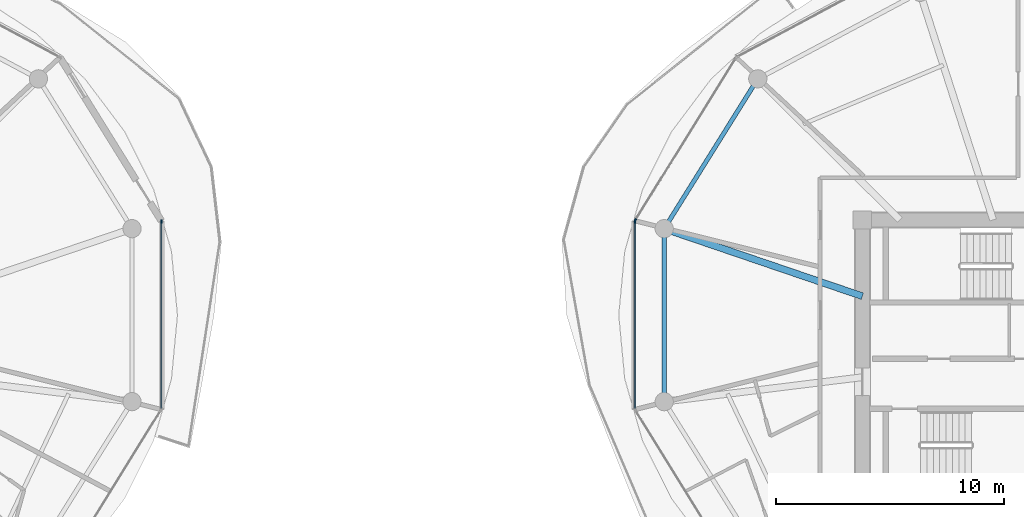
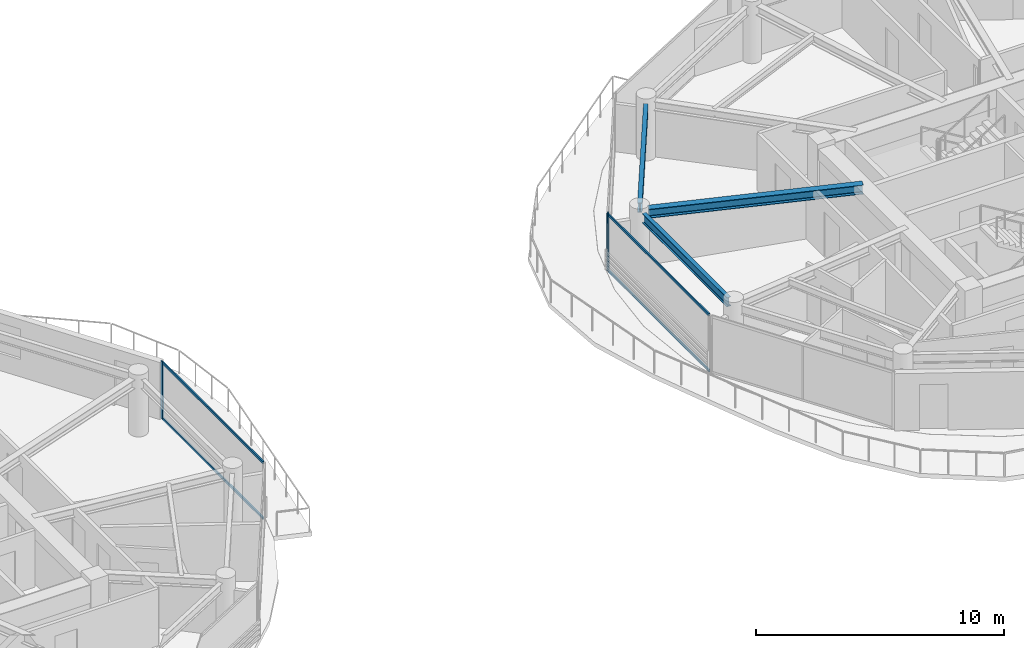
# One storey, part 7 of 21: 7 members, 3 beams, 3 elements without a shape of their own.
"""IFC4 building model written with IfcOpenShell, lengths in metres."""

from ifc_helpers import new_model, si_unit, direction, frame, origin, origin_2d, place, context, subcontext, project, spatial, rectangle, i_section, extrude, source, transform, mapped, material, layer, layer_set, material_profile, profile_set, type_object, type_shapes, element, aggregate, save


model = new_model("IFC4")

# Units and contexts
model_context = context("Model", 3, precision=1e-05, world=origin(), true_north=direction((0.0, 1.0)))
body_context = subcontext(model_context, "Body", "Model", "MODEL_VIEW")
ifc_project = project(units=[si_unit("LENGTHUNIT", "METRE"), si_unit("AREAUNIT", "SQUARE_METRE"), si_unit("VOLUMEUNIT", "CUBIC_METRE"), si_unit("PLANEANGLEUNIT", "RADIAN"), si_unit("MASSUNIT", "GRAM", prefix="KILO")], contexts=[model_context])

# Site, building, storey
site_placement = place(None, origin())
site = spatial("IfcSite", under=ifc_project, at=site_placement, CompositionType="ELEMENT")
building_placement = place(site_placement, origin())
building = spatial("IfcBuilding", under=site, at=building_placement, Name="Norrkilde Senior Care Towers", CompositionType="ELEMENT")
storey_placement = place(building_placement, frame((0.0, 0.0, 140.39990234375)))
storey = spatial("IfcBuildingStorey", under=building, at=storey_placement, Name="L43", CompositionType="ELEMENT", Elevation=140.39990234375)

# Beams
ifc_material_1 = material(Name="Steel S355", Category="steel")
ifc_material_profile_1 = material_profile(ifc_material_1, i_section(OverallWidth=0.18994140625, OverallDepth=0.449951171875, WebThickness=0.009521484375, FlangeThickness=0.0146484375, FilletRadius=0.02099609375, at=origin_2d()), Name="IPE 450")
ifc_profile_set_1 = profile_set([ifc_material_profile_1], Name="Steel S355")
beam_type_1 = type_object("IfcBeamType", Name="Perimeter Ring Spandrel Z3 IPE450", PredefinedType="SPANDREL", material=ifc_profile_set_1)
shared_shape_1 = source(origin(), body_context, "Body", "SweptSolid", [
    extrude(i_section(OverallWidth=0.18994140625, OverallDepth=0.449951171875, WebThickness=0.009521484375, FlangeThickness=0.0146484375, FilletRadius=0.02099609375, at=origin_2d()), origin(), (0.0, 0.0, 1.0), 7.0234375),
])
beam_1_placement = place(storey_placement, frame((15.57666015625, 11.8291015625, 2.585205078125), z_axis=(-0.529789577822, -0.848129119433, 0.0), x_axis=(0.848129119433, -0.529789577822, 0.0)))
element("IfcBeam", 1, at=beam_1_placement, inside=storey, type_object=beam_type_1, Name="L43 Drum E Perimeter Spandrel 05", PredefinedType="SPANDREL", context=body_context, shape_type="MappedRepresentation", body=[
    mapped(shared_shape_1, transform((0.0, 0.0, 0.0), x_axis=(1.0, 0.0, 0.0), y_axis=(0.0, 1.0, 0.0), z_axis=(0.0, 0.0, 1.0), scale=1.0)),
])
ifc_material_profile_2 = material_profile(ifc_material_1, i_section(OverallWidth=0.300048828125, OverallDepth=0.449951171875, WebThickness=0.013916015625, FlangeThickness=0.02587890625, FilletRadius=0.027099609375, at=origin_2d()), Name="HEB 450")
ifc_profile_set_2 = profile_set([ifc_material_profile_2], Name="Steel S355")
beam_type_2 = type_object("IfcBeamType", Name="Radial Floor Beam Z3 HEB450", PredefinedType="BEAM", material=ifc_profile_set_2)
shared_shape_2 = source(origin(), body_context, "Body", "SweptSolid", [
    extrude(i_section(OverallWidth=0.300048828125, OverallDepth=0.449951171875, WebThickness=0.013916015625, FlangeThickness=0.02587890625, FilletRadius=0.027099609375, at=origin_2d()), origin(), (0.0, 0.0, 1.0), 8.8154296875),
])
type_shapes(beam_type_2, [shared_shape_2])
beam_2_placement = place(storey_placement, frame((20.35009765625, 2.607177734375, 2.585205078125), z_axis=(-0.946540556878, 0.322584832539, 0.0), x_axis=(-0.322584832539, -0.946540556878, 0.0)))
element("IfcBeam", 2, at=beam_2_placement, inside=storey, type_object=beam_type_2, Name="L43 Drum E Radial Floor Beam 06", PredefinedType="BEAM", context=body_context, shape_type="MappedRepresentation", body=[
    mapped(shared_shape_2, transform((0.0, 0.0, 0.0), x_axis=(1.0, 0.0, 0.0), y_axis=(0.0, 1.0, 0.0), z_axis=(0.0, 0.0, 1.0), scale=1.0)),
])
shared_shape_3 = source(origin(), body_context, "Body", "SweptSolid", [
    extrude(i_section(OverallWidth=0.18994140625, OverallDepth=0.449951171875, WebThickness=0.009521484375, FlangeThickness=0.0146484375, FilletRadius=0.02099609375, at=origin_2d()), origin(), (0.0, 0.0, 1.0), 6.86328125),
])
type_shapes(beam_type_1, [shared_shape_1, shared_shape_3])
beam_3_placement = place(storey_placement, frame((11.6650390625, 5.20703125, 2.585205078125), z_axis=(0.0, -1.0, 0.0), x_axis=(1.0, 0.0, 0.0)))
element("IfcBeam", 3, at=beam_3_placement, inside=storey, type_object=beam_type_1, Name="L43 Drum E Perimeter Spandrel 06", PredefinedType="SPANDREL", context=body_context, shape_type="MappedRepresentation", body=[
    mapped(shared_shape_3, transform((0.0, 0.0, 0.0), x_axis=(1.0, 0.0, 0.0), y_axis=(0.0, 1.0, 0.0), z_axis=(0.0, 0.0, 1.0), scale=1.0)),
])

# Curtain wall, member
ifc_material_2 = material(Name="Triple Low-E Insulated Glazing", Category="glass")
ifc_layer = layer(ifc_material_2, 0.18994140625)
ifc_layer_set = layer_set([ifc_layer], Name="Triple Low-E Insulated Glazing")
curtain_wall_type = type_object("IfcCurtainWallType", Name="CW4 Zone 3 Senior Residence Curtain Wall", PredefinedType="NOTDEFINED", material=ifc_layer_set)
curtain_wall_1_placement = place(storey_placement, origin())
curtain_wall_1 = element("IfcCurtainWall", 4, at=curtain_wall_1_placement, inside=storey, type_object=curtain_wall_type, Name="L43 Drum W Curtain Wall 11", PredefinedType="NOTDEFINED")
ifc_material_3 = material(Name="Anodised Aluminium", Category="aluminium")
ifc_material_profile_3 = material_profile(ifc_material_3, rectangle(XDim=0.06494140625, YDim=0.14990234375, at=origin_2d()), Name="ALU MULL 65x150")
ifc_profile_set_3 = profile_set([ifc_material_profile_3], Name="Anodised Aluminium")
member_type_1 = type_object("IfcMemberType", Name="Curtain Wall Mullion Z3-Z4 65x150", PredefinedType="MULLION", material=ifc_profile_set_3)
shared_shape_4 = source(origin(), body_context, "Body", "SweptSolid", [
    extrude(rectangle(XDim=0.06494140625, YDim=0.14990234375, at=origin_2d()), origin(), (0.0, 0.0, 1.0), 2.81005859375),
])
type_shapes(member_type_1, [shared_shape_4])
member_1_placement = place(storey_placement, frame((-10.38037109375, 5.878662109375, 0.0), z_axis=(0.0, 0.0, 1.0), x_axis=(1.0, 0.0, 0.0)))
member_1 = element("IfcMember", 5, at=member_1_placement, type_object=member_type_1, Name="CW-4 mullion 1", PredefinedType="MULLION", context=body_context, shape_type="MappedRepresentation", body=[
    mapped(shared_shape_4, transform((0.0, 0.0, 0.0), x_axis=(1.0, 0.0, 0.0), y_axis=(0.0, 1.0, 0.0), z_axis=(0.0, 0.0, 1.0), scale=1.0)),
])

curtain_wall_2_placement = place(storey_placement, origin())
curtain_wall_2 = element("IfcCurtainWall", 6, at=curtain_wall_2_placement, inside=storey, type_object=curtain_wall_type, Name="L43 Drum E Curtain Wall 04", PredefinedType="NOTDEFINED")
member_2_placement = place(storey_placement, frame((10.3974609375, 5.93896484375, 0.0), z_axis=(0.0, 0.0, 1.0), x_axis=(-0.84963405474, 0.52737270789, 0.0)))
member_2 = element("IfcMember", 7, at=member_2_placement, type_object=member_type_1, Name="CW-4 mullion 1", PredefinedType="MULLION", context=body_context, shape_type="MappedRepresentation", body=[
    mapped(shared_shape_4, transform((0.0, 0.0, 0.0), x_axis=(1.0, 0.0, 0.0), y_axis=(0.0, 1.0, 0.0), z_axis=(0.0, 0.0, 1.0), scale=1.0)),
])
aggregate(curtain_wall_2, [member_2])

curtain_wall_3_placement = place(storey_placement, origin())
curtain_wall_3 = element("IfcCurtainWall", 8, at=curtain_wall_3_placement, inside=storey, type_object=curtain_wall_type, Name="L43 Drum E Curtain Wall 05", PredefinedType="NOTDEFINED")
member_3_placement = place(storey_placement, frame((10.38037109375, 5.878662109375, 0.0), z_axis=(0.0, 0.0, 1.0), x_axis=(-1.0, 0.0, 0.0)))
member_3 = element("IfcMember", 9, at=member_3_placement, type_object=member_type_1, Name="CW-4 mullion 2", PredefinedType="MULLION", context=body_context, shape_type="MappedRepresentation", body=[
    mapped(shared_shape_4, transform((0.0, 0.0, 0.0), x_axis=(1.0, 0.0, 0.0), y_axis=(0.0, 1.0, 0.0), z_axis=(0.0, 0.0, 1.0), scale=1.0)),
])

# Member
ifc_material_profile_4 = material_profile(ifc_material_3, rectangle(XDim=0.06005859375, YDim=0.1201171875, at=origin_2d()), Name="ALU TRAN 60x120")
ifc_profile_set_4 = profile_set([ifc_material_profile_4], Name="Anodised Aluminium")
member_type_2 = type_object("IfcMemberType", Name="Curtain Wall Transom Typical 60x120", PredefinedType="USERDEFINED", material=ifc_profile_set_4)
shared_shape_5 = source(origin(), body_context, "Body", "SweptSolid", [
    extrude(rectangle(XDim=0.06005859375, YDim=0.1201171875, at=origin_2d()), origin(), (0.0, 0.0, 1.0), 8.141845703125),
])
type_shapes(member_type_2, [shared_shape_5])
member_4_placement = place(storey_placement, frame((-10.38037109375, 5.84619140625, 0.030029296875), z_axis=(0.0, -1.0, 0.0), x_axis=(1.0, 0.0, 0.0)))
member_4 = element("IfcMember", 10, at=member_4_placement, type_object=member_type_2, Name="CW-4 transom 1.1", ObjectType="TRANSOM", PredefinedType="USERDEFINED", context=body_context, shape_type="MappedRepresentation", body=[
    mapped(shared_shape_5, transform((0.0, 0.0, 0.0), x_axis=(1.0, 0.0, 0.0), y_axis=(0.0, 1.0, 0.0), z_axis=(0.0, 0.0, 1.0), scale=1.0)),
])

member_5_placement = place(storey_placement, frame((-10.38037109375, 5.84619140625, 2.780029296875), z_axis=(0.0, -1.0, 0.0), x_axis=(1.0, 0.0, 0.0)))
member_5 = element("IfcMember", 11, at=member_5_placement, type_object=member_type_2, Name="CW-4 transom 1.2", ObjectType="TRANSOM", PredefinedType="USERDEFINED", context=body_context, shape_type="MappedRepresentation", body=[
    mapped(shared_shape_5, transform((0.0, 0.0, 0.0), x_axis=(1.0, 0.0, 0.0), y_axis=(0.0, 1.0, 0.0), z_axis=(0.0, 0.0, 1.0), scale=1.0)),
])

aggregate(curtain_wall_1, [member_1, member_4, member_5])

member_6_placement = place(storey_placement, frame((10.38037109375, -2.295654296875, 0.030029296875), z_axis=(0.0, 1.0, 0.0), x_axis=(-1.0, 0.0, 0.0)))
member_6 = element("IfcMember", 12, at=member_6_placement, type_object=member_type_2, Name="CW-4 transom 1.1", ObjectType="TRANSOM", PredefinedType="USERDEFINED", context=body_context, shape_type="MappedRepresentation", body=[
    mapped(shared_shape_5, transform((0.0, 0.0, 0.0), x_axis=(1.0, 0.0, 0.0), y_axis=(0.0, 1.0, 0.0), z_axis=(0.0, 0.0, 1.0), scale=1.0)),
])

member_7_placement = place(storey_placement, frame((10.38037109375, -2.295654296875, 2.780029296875), z_axis=(0.0, 1.0, 0.0), x_axis=(-1.0, 0.0, 0.0)))
member_7 = element("IfcMember", 13, at=member_7_placement, type_object=member_type_2, Name="CW-4 transom 1.2", ObjectType="TRANSOM", PredefinedType="USERDEFINED", context=body_context, shape_type="MappedRepresentation", body=[
    mapped(shared_shape_5, transform((0.0, 0.0, 0.0), x_axis=(1.0, 0.0, 0.0), y_axis=(0.0, 1.0, 0.0), z_axis=(0.0, 0.0, 1.0), scale=1.0)),
])

aggregate(curtain_wall_3, [member_3, member_6, member_7])

save(model, "model.ifc")
